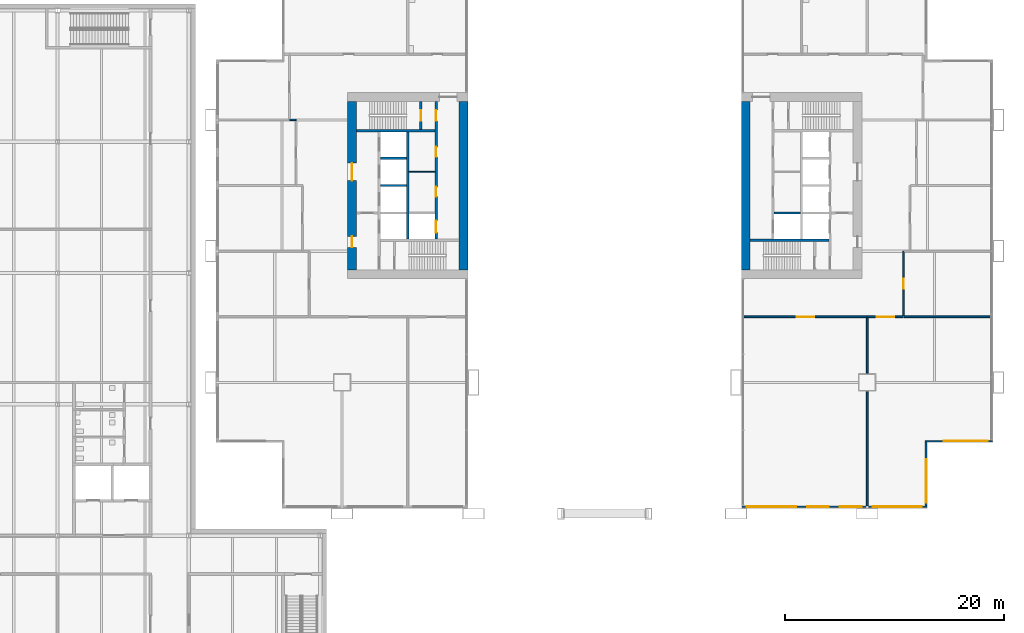
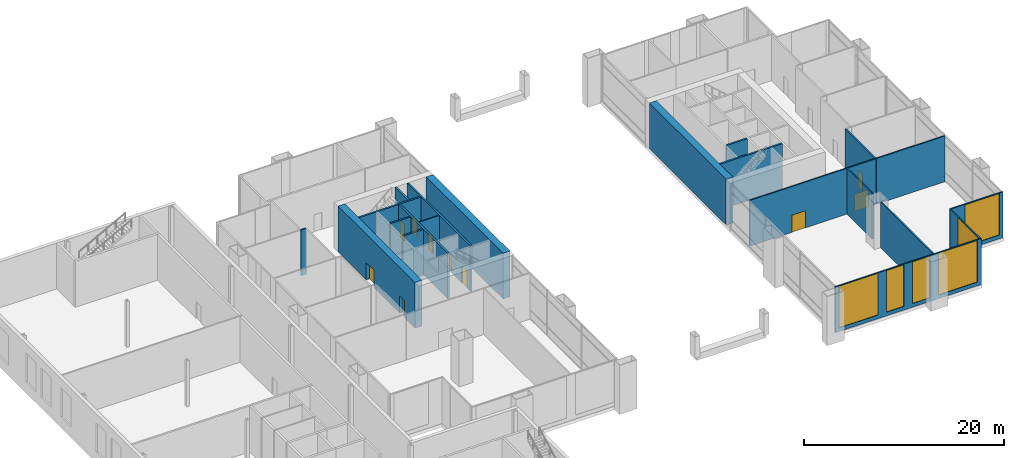
# One storey, part 19 of 25: 22 walls, 10 doors, 6 windows, 16 openings.
"""IFC4 building model written with IfcOpenShell, lengths in metres."""

from ifc_helpers import new_model, si_unit, direction, frame, frame_2d, origin, place, context, subcontext, project, spatial, rectangle, extrude, material, layer, layer_set, type_object, element, fill, save


model = new_model("IFC4")

# Units and contexts
model_context = context("Model", 3, precision=1e-05, world=origin(), true_north=direction((0.0, 1.0)))
body_context = subcontext(model_context, "Body", "Model", "MODEL_VIEW")
ifc_project = project(units=[si_unit("LENGTHUNIT", "METRE"), si_unit("AREAUNIT", "SQUARE_METRE"), si_unit("VOLUMEUNIT", "CUBIC_METRE"), si_unit("PLANEANGLEUNIT", "RADIAN"), si_unit("MASSUNIT", "GRAM", prefix="KILO")], contexts=[model_context])

# Site, building, storey
site_placement = place(None, origin())
site = spatial("IfcSite", under=ifc_project, at=site_placement, CompositionType="ELEMENT")
building_placement = place(site_placement, origin())
building = spatial("IfcBuilding", under=site, at=building_placement, Name="Kitamizu Gate Tower and Museum", CompositionType="ELEMENT")
storey_placement = place(building_placement, frame((0.0, 0.0, 18.0)))
storey = spatial("IfcBuildingStorey", under=building, at=storey_placement, Name="L03", CompositionType="ELEMENT", Elevation=18.0)

# Wall, openings, doors
ifc_material_1 = material(Name="Concrete Fc60", Category="concrete")
ifc_layer_1 = layer(ifc_material_1, 0.800048828125)
ifc_layer_set_1 = layer_set([ifc_layer_1], Name="Concrete Fc60")
wall_type_1 = type_object("IfcWallType", Name="Core wall 800", PredefinedType="SHEAR", material=ifc_layer_set_1)
wall_1_placement = place(storey_placement, frame((12.89990234375, 22.300048828125, 0.0), z_axis=(0.0, 0.0, 1.0), x_axis=(0.0, 1.0, 0.0)))
wall_1 = element("IfcWall", 1, at=wall_1_placement, inside=storey, type_object=wall_type_1, Name="Core wall WOUT", PredefinedType="SHEAR", context=body_context, shape_type="SweptSolid", body=[
    extrude(rectangle(XDim=15.39990234375, YDim=0.800048828125, at=frame_2d((7.699951171875, 0.0))), origin(), (0.0, 0.0, 1.0), 5.60009765625),
])
opening_1_placement = place(wall_1_placement, frame((8.14990234375, 0.0, 0.0)))
opening_1 = element("IfcOpeningElement", 2, at=opening_1_placement, cuts=wall_1, Name="Opening L03-023", PredefinedType="OPENING", context=body_context, shape_type="SweptSolid", body=[
    extrude(rectangle(XDim=1.60009765625, YDim=2.10009765625, at=frame_2d((0.800048828125, 1.050048828125))), frame((0.0, 0.41015625, 0.0), z_axis=(0.0, -1.0, 0.0), x_axis=(1.0, 0.0, 0.0)), (0.0, 0.0, 1.0), 0.820068359375),
])
opening_2_placement = place(wall_1_placement, frame((2.050048828125, 0.0, 0.0)))
opening_2 = element("IfcOpeningElement", 3, at=opening_2_placement, cuts=wall_1, Name="Opening L03-024", PredefinedType="OPENING", context=body_context, shape_type="SweptSolid", body=[
    extrude(rectangle(XDim=1.0, YDim=2.10009765625, at=frame_2d((0.5, 1.050048828125))), frame((0.0, 0.41015625, 0.0), z_axis=(0.0, -1.0, 0.0), x_axis=(1.0, 0.0, 0.0)), (0.0, 0.0, 1.0), 0.820068359375),
])
ifc_material_2 = material(Name="Timber door set", Category="wood")
door_type_1 = type_object("IfcDoorType", Name="Entrance door 1600", OperationType="DOUBLE_DOOR_SINGLE_SWING", PredefinedType="DOOR", material=ifc_material_2)
door_1_placement = place(opening_1_placement, origin())
door_1 = element("IfcDoor", 4, at=door_1_placement, inside=storey, type_object=door_type_1, Name="Lobby door L03-023", OperationType="DOUBLE_DOOR_SINGLE_SWING", OverallHeight=2.10009765625, OverallWidth=1.60009765625, PredefinedType="DOOR", context=body_context, shape_type="SweptSolid", body=[
    extrude(rectangle(XDim=1.60009765625, YDim=2.10009765625, at=frame_2d((0.800048828125, 1.050048828125))), frame((0.0, 0.02490234375, 0.0), z_axis=(0.0, -1.0, 0.0), x_axis=(1.0, 0.0, 0.0)), (0.0, 0.0, 1.0), 0.050048828125),
])
fill(opening_1, door_1)
ifc_material_3 = material(Name="Hollow metal door set")
door_type_2 = type_object("IfcDoorType", Name="Fire door 1000", OperationType="NOTDEFINED", PredefinedType="DOOR", material=ifc_material_3)
door_2_placement = place(opening_2_placement, frame((1.0, 0.0, 0.0), x_axis=(-1.0, 0.0, 0.0)))
door_2 = element("IfcDoor", 5, at=door_2_placement, inside=storey, type_object=door_type_2, Name="Fire-fighting lobby door L03-024", OperationType="SINGLE_SWING_RIGHT", OverallHeight=2.10009765625, OverallWidth=1.0, PredefinedType="DOOR", context=body_context, shape_type="SweptSolid", body=[
    extrude(rectangle(XDim=1.0, YDim=2.10009765625, at=frame_2d((0.5, 1.050048828125))), frame((0.0, 0.02490234375, 0.0), z_axis=(0.0, -1.0, 0.0), x_axis=(1.0, 0.0, 0.0)), (0.0, 0.0, 1.0), 0.050048828125),
])
fill(opening_2, door_2)

# Walls
for number, where, z_axis, x_axis, name in (
    (6, (23.10009765625, 22.300048828125, 0.0), (0.0, 0.0, 1.0), (0.0, 1.0, 0.0), "Core wall WARC"),
    (7, (48.89990234375, 22.300048828125, 0.0), (0.0, 0.0, 1.0), (0.0, 1.0, 0.0), "Core wall EARC"),
):
    element("IfcWall", number, at=place(storey_placement, frame(where, z_axis=z_axis, x_axis=x_axis)), inside=storey, type_object=wall_type_1, Name=name, PredefinedType="SHEAR", context=body_context, shape_type="SweptSolid", body=[
        extrude(rectangle(XDim=15.39990234375, YDim=0.800048828125, at=frame_2d((7.699951171875, 0.0))), origin(), (0.0, 0.0, 1.0), 5.60009765625),
    ])
ifc_material_4 = material(Name="Gypsum board on galvanised stud")
ifc_layer_2 = layer(ifc_material_4, 0.10009765625)
ifc_layer_set_2 = layer_set([ifc_layer_2], Name="Gypsum board on galvanised stud")
wall_type_2 = type_object("IfcWallType", Name="Partition 100", PredefinedType="PARTITIONING", material=ifc_layer_set_2)
wall_2_placement = place(storey_placement, frame((18.10009765625, 31.25, 0.0), z_axis=(0.0, 0.0, 1.0), x_axis=(1.0, 0.0, 0.0)))
element("IfcWall", 8, at=wall_2_placement, inside=storey, type_object=wall_type_2, Name="Partition WPF1", PredefinedType="PARTITIONING", context=body_context, shape_type="SweptSolid", body=[
    extrude(rectangle(XDim=2.39990234375, YDim=0.10009765625, at=frame_2d((1.199951171875, 0.0))), origin(), (0.0, 0.0, 1.0), 5.60009765625),
])
ifc_material_5 = material(Name="Gypsum board on galvanised stud")
ifc_layer_3 = layer(ifc_material_5, 0.14990234375)
ifc_layer_set_3 = layer_set([ifc_layer_3], Name="Gypsum board on galvanised stud")
wall_type_3 = type_object("IfcWallType", Name="Partition 150", PredefinedType="PARTITIONING", material=ifc_layer_set_3)
wall_3_placement = place(storey_placement, frame((7.199951171875, 36.0, 0.0), z_axis=(0.0, 0.0, 1.0), x_axis=(1.0, 0.0, 0.0)))
element("IfcWall", 9, at=wall_3_placement, inside=storey, type_object=wall_type_3, Name="Partition L03-007", PredefinedType="PARTITIONING", context=body_context, shape_type="SweptSolid", body=[
    extrude(rectangle(XDim=0.60009765625, YDim=0.14990234375, at=frame_2d((0.300048828125, 0.0))), origin(), (0.0, 0.0, 1.0), 5.60009765625),
])

# Wall, opening, door
wall_4_placement = place(storey_placement, frame((48.719970703125, 18.0, 0.0), z_axis=(0.0, 0.0, 1.0), x_axis=(1.0, 0.0, 0.0)))
wall_4 = element("IfcWall", 10, at=wall_4_placement, inside=storey, type_object=wall_type_3, Name="Partition L03-012", PredefinedType="PARTITIONING", context=body_context, shape_type="SweptSolid", body=[
    extrude(rectangle(XDim=11.280029296875, YDim=0.14990234375, at=frame_2d((5.64013671875, 0.0))), origin(), (0.0, 0.0, 1.0), 5.60009765625),
])
opening_3_placement = place(wall_4_placement, frame((4.840087890625, 0.0, 0.0)))
opening_3 = element("IfcOpeningElement", 11, at=opening_3_placement, cuts=wall_4, Name="Opening L03-001", PredefinedType="OPENING", context=body_context, shape_type="SweptSolid", body=[
    extrude(rectangle(XDim=1.60009765625, YDim=2.10009765625, at=frame_2d((0.800048828125, 1.050048828125))), frame((0.0, 0.0849609375, 0.0), z_axis=(0.0, -1.0, 0.0), x_axis=(1.0, 0.0, 0.0)), (0.0, 0.0, 1.0), 0.169921875),
])
ifc_material_6 = material(Name="Timber door set", Category="wood")
door_type_3 = type_object("IfcDoorType", Name="Double door 1600", OperationType="DOUBLE_DOOR_SINGLE_SWING", PredefinedType="DOOR", material=ifc_material_6)
door_3_placement = place(opening_3_placement, origin())
door_3 = element("IfcDoor", 12, at=door_3_placement, inside=storey, type_object=door_type_3, Name="Double door L03-001", OperationType="DOUBLE_DOOR_SINGLE_SWING", OverallHeight=2.10009765625, OverallWidth=1.60009765625, PredefinedType="DOOR", context=body_context, shape_type="SweptSolid", body=[
    extrude(rectangle(XDim=1.60009765625, YDim=2.10009765625, at=frame_2d((0.800048828125, 1.050048828125))), frame((0.0, 0.02490234375, 0.0), z_axis=(0.0, -1.0, 0.0), x_axis=(1.0, 0.0, 0.0)), (0.0, 0.0, 1.0), 0.050048828125),
])
fill(opening_3, door_3)

wall_5_placement = place(storey_placement, frame((60.0, 18.0, 0.0), z_axis=(0.0, 0.0, 1.0), x_axis=(1.0, 0.0, 0.0)))
wall_5 = element("IfcWall", 13, at=wall_5_placement, inside=storey, type_object=wall_type_3, Name="Partition L03-013", PredefinedType="PARTITIONING", context=body_context, shape_type="SweptSolid", body=[
    extrude(rectangle(XDim=3.300048828125, YDim=0.14990234375, at=frame_2d((1.64990234375, 0.0))), origin(), (0.0, 0.0, 1.0), 5.60009765625),
])
opening_4_placement = place(wall_5_placement, frame((0.85009765625, 0.0, 0.0)))
opening_4 = element("IfcOpeningElement", 14, at=opening_4_placement, cuts=wall_5, Name="Opening L03-002", PredefinedType="OPENING", context=body_context, shape_type="SweptSolid", body=[
    extrude(rectangle(XDim=1.60009765625, YDim=2.10009765625, at=frame_2d((0.800048828125, 1.050048828125))), frame((0.0, 0.0849609375, 0.0), z_axis=(0.0, -1.0, 0.0), x_axis=(1.0, 0.0, 0.0)), (0.0, 0.0, 1.0), 0.169921875),
])
door_4_placement = place(opening_4_placement, origin())
door_4 = element("IfcDoor", 15, at=door_4_placement, inside=storey, type_object=door_type_3, Name="Double door L03-002", OperationType="DOUBLE_DOOR_SINGLE_SWING", OverallHeight=2.10009765625, OverallWidth=1.60009765625, PredefinedType="DOOR", context=body_context, shape_type="SweptSolid", body=[
    extrude(rectangle(XDim=1.60009765625, YDim=2.10009765625, at=frame_2d((0.800048828125, 1.050048828125))), frame((0.0, 0.02490234375, 0.0), z_axis=(0.0, -1.0, 0.0), x_axis=(1.0, 0.0, 0.0)), (0.0, 0.0, 1.0), 0.050048828125),
])
fill(opening_4, door_4)

wall_6_placement = place(storey_placement, frame((63.300048828125, 18.074951171875, 0.0), z_axis=(0.0, 0.0, 1.0), x_axis=(0.0, 1.0, 0.0)))
wall_6 = element("IfcWall", 16, at=wall_6_placement, inside=storey, type_object=wall_type_3, Name="Partition L03-014", PredefinedType="PARTITIONING", context=body_context, shape_type="SweptSolid", body=[
    extrude(rectangle(XDim=5.925048828125, YDim=0.14990234375, at=frame_2d((2.96240234375, 0.0))), origin(), (0.0, 0.0, 1.0), 5.60009765625),
])
opening_5_placement = place(wall_6_placement, frame((2.512451171875, 0.0, 0.0)))
opening_5 = element("IfcOpeningElement", 17, at=opening_5_placement, cuts=wall_6, Name="Opening L03-003", PredefinedType="OPENING", context=body_context, shape_type="SweptSolid", body=[
    extrude(rectangle(XDim=0.89990234375, YDim=2.10009765625, at=frame_2d((0.449951171875, 1.050048828125))), frame((0.0, 0.0849609375, 0.0), z_axis=(0.0, -1.0, 0.0), x_axis=(1.0, 0.0, 0.0)), (0.0, 0.0, 1.0), 0.169921875),
])
ifc_material_7 = material(Name="Timber door set", Category="wood")
door_type_4 = type_object("IfcDoorType", Name="Room door 900", OperationType="NOTDEFINED", PredefinedType="DOOR", material=ifc_material_7)
door_5_placement = place(opening_5_placement, frame((0.89990234375, 0.0, 0.0), x_axis=(-1.0, 0.0, 0.0)))
door_5 = element("IfcDoor", 18, at=door_5_placement, inside=storey, type_object=door_type_4, Name="Door L03-003", OperationType="SINGLE_SWING_LEFT", OverallHeight=2.10009765625, OverallWidth=0.89990234375, PredefinedType="DOOR", context=body_context, shape_type="SweptSolid", body=[
    extrude(rectangle(XDim=0.89990234375, YDim=2.10009765625, at=frame_2d((0.449951171875, 1.050048828125))), frame((0.0, 0.02490234375, 0.0), z_axis=(0.0, -1.0, 0.0), x_axis=(1.0, 0.0, 0.0)), (0.0, 0.0, 1.0), 0.050048828125),
])
fill(opening_5, door_5)

# Walls
wall_7_placement = place(storey_placement, frame((60.0, 0.719970703125, 0.0), z_axis=(0.0, 0.0, 1.0), x_axis=(0.0, 1.0, 0.0)))
element("IfcWall", 19, at=wall_7_placement, inside=storey, type_object=wall_type_3, Name="Partition L03-024", PredefinedType="PARTITIONING", context=body_context, shape_type="SweptSolid", body=[
    extrude(rectangle(XDim=10.429931640625, YDim=0.14990234375, at=frame_2d((5.21484375, 0.0))), origin(), (0.0, 0.0, 1.0), 5.60009765625),
])
wall_8_placement = place(storey_placement, frame((60.0, 12.85009765625, 0.0), z_axis=(0.0, 0.0, 1.0), x_axis=(0.0, 1.0, 0.0)))
element("IfcWall", 20, at=wall_8_placement, inside=storey, type_object=wall_type_3, Name="Partition L03-025", PredefinedType="PARTITIONING", context=body_context, shape_type="SweptSolid", body=[
    extrude(rectangle(XDim=5.074951171875, YDim=0.14990234375, at=frame_2d((2.53759765625, 0.0))), origin(), (0.0, 0.0, 1.0), 5.60009765625),
])
wall_9_placement = place(storey_placement, frame((71.280029296875, 18.0, 0.0), z_axis=(0.0, 0.0, 1.0), x_axis=(-1.0, 0.0, 0.0)))
element("IfcWall", 21, at=wall_9_placement, inside=storey, type_object=wall_type_3, Name="Partition L03-026", PredefinedType="PARTITIONING", context=body_context, shape_type="SweptSolid", body=[
    extrude(rectangle(XDim=7.905029296875, YDim=0.14990234375, at=frame_2d((3.95263671875, 0.0))), origin(), (0.0, 0.0, 1.0), 5.60009765625),
])

# Wall, openings, doors
ifc_material_8 = material(Name="Concrete Fc42", Category="concrete")
ifc_layer_4 = layer(ifc_material_8, 0.199951171875)
ifc_layer_set_4 = layer_set([ifc_layer_4], Name="Concrete Fc42")
wall_type_4 = type_object("IfcWallType", Name="Shaft wall 200", PredefinedType="SOLIDWALL", material=ifc_layer_set_4)
wall_10_placement = place(storey_placement, frame((20.60009765625, 25.10009765625, 0.0), z_axis=(0.0, 0.0, 1.0), x_axis=(0.0, 1.0, 0.0)))
wall_10 = element("IfcWall", 22, at=wall_10_placement, inside=storey, type_object=wall_type_4, Name="Shaft wall WEAST", PredefinedType="SOLIDWALL", context=body_context, shape_type="SweptSolid", body=[
    extrude(rectangle(XDim=12.599853515625, YDim=0.199951171875, at=frame_2d((6.2998046875, 0.0))), origin(), (0.0, 0.0, 1.0), 5.60009765625),
])
opening_6_placement = place(wall_10_placement, frame((0.60009765625, 0.0, 0.0)))
opening_6 = element("IfcOpeningElement", 23, at=opening_6_placement, cuts=wall_10, Name="Opening LD", PredefinedType="OPENING", context=body_context, shape_type="SweptSolid", body=[
    extrude(rectangle(XDim=1.10009765625, YDim=2.10009765625, at=frame_2d((0.550048828125, 1.050048828125))), frame((0.0, 0.10986328125, 0.0), z_axis=(0.0, -1.0, 0.0), x_axis=(1.0, 0.0, 0.0)), (0.0, 0.0, 1.0), 0.219970703125),
])
opening_7_placement = place(wall_10_placement, frame((10.800048828125, 0.0, 0.0)))
opening_7 = element("IfcOpeningElement", 24, at=opening_7_placement, cuts=wall_10, Name="Opening L03-020", PredefinedType="OPENING", context=body_context, shape_type="SweptSolid", body=[
    extrude(rectangle(XDim=1.0, YDim=2.10009765625, at=frame_2d((0.5, 1.050048828125))), frame((0.0, 0.10986328125, 0.0), z_axis=(0.0, -1.0, 0.0), x_axis=(1.0, 0.0, 0.0)), (0.0, 0.0, 1.0), 0.219970703125),
])
opening_8_placement = place(wall_10_placement, frame((3.875, 0.0, 0.0)))
opening_8 = element("IfcOpeningElement", 25, at=opening_8_placement, cuts=wall_10, Name="Opening L03-026", PredefinedType="OPENING", context=body_context, shape_type="SweptSolid", body=[
    extrude(rectangle(XDim=0.89990234375, YDim=2.10009765625, at=frame_2d((0.449951171875, 1.050048828125))), frame((0.0, 0.10986328125, 0.0), z_axis=(0.0, -1.0, 0.0), x_axis=(1.0, 0.0, 0.0)), (0.0, 0.0, 1.0), 0.219970703125),
])
opening_9_placement = place(wall_10_placement, frame((7.52490234375, 0.0, 0.0)))
opening_9 = element("IfcOpeningElement", 26, at=opening_9_placement, cuts=wall_10, Name="Opening L03-027", PredefinedType="OPENING", context=body_context, shape_type="SweptSolid", body=[
    extrude(rectangle(XDim=0.89990234375, YDim=2.10009765625, at=frame_2d((0.449951171875, 1.050048828125))), frame((0.0, 0.10986328125, 0.0), z_axis=(0.0, -1.0, 0.0), x_axis=(1.0, 0.0, 0.0)), (0.0, 0.0, 1.0), 0.219970703125),
])
door_6_placement = place(opening_7_placement, origin())
door_6 = element("IfcDoor", 27, at=door_6_placement, inside=storey, type_object=door_type_2, Name="Stair lobby door L03-020", OperationType="SINGLE_SWING_RIGHT", OverallHeight=2.10009765625, OverallWidth=1.0, PredefinedType="DOOR", context=body_context, shape_type="SweptSolid", body=[
    extrude(rectangle(XDim=1.0, YDim=2.10009765625, at=frame_2d((0.5, 1.050048828125))), frame((0.0, 0.02490234375, 0.0), z_axis=(0.0, -1.0, 0.0), x_axis=(1.0, 0.0, 0.0)), (0.0, 0.0, 1.0), 0.050048828125),
])
fill(opening_7, door_6)
ifc_material_9 = material(Name="Hollow metal door set")
door_type_5 = type_object("IfcDoorType", Name="Landing door 1100", OperationType="SLIDING_TO_LEFT", PredefinedType="DOOR", material=ifc_material_9)
door_7_placement = place(opening_6_placement, origin())
door_7 = element("IfcDoor", 28, at=door_7_placement, inside=storey, type_object=door_type_5, Name="Landing door WSV1", OperationType="SLIDING_TO_LEFT", OverallHeight=2.10009765625, OverallWidth=1.10009765625, PredefinedType="DOOR", context=body_context, shape_type="SweptSolid", body=[
    extrude(rectangle(XDim=1.10009765625, YDim=2.10009765625, at=frame_2d((0.550048828125, 1.050048828125))), frame((0.0, 0.02490234375, 0.0), z_axis=(0.0, -1.0, 0.0), x_axis=(1.0, 0.0, 0.0)), (0.0, 0.0, 1.0), 0.050048828125),
])
fill(opening_6, door_7)
ifc_material_10 = material(Name="Timber door set", Category="wood")
door_type_6 = type_object("IfcDoorType", Name="Service door 900", OperationType="NOTDEFINED", PredefinedType="DOOR", material=ifc_material_10)
door_8_placement = place(opening_8_placement, origin())
door_8 = element("IfcDoor", 29, at=door_8_placement, inside=storey, type_object=door_type_6, Name="Service door L03-026", OperationType="SINGLE_SWING_RIGHT", OverallHeight=2.10009765625, OverallWidth=0.89990234375, PredefinedType="DOOR", context=body_context, shape_type="SweptSolid", body=[
    extrude(rectangle(XDim=0.89990234375, YDim=2.10009765625, at=frame_2d((0.449951171875, 1.050048828125))), frame((0.0, 0.02490234375, 0.0), z_axis=(0.0, -1.0, 0.0), x_axis=(1.0, 0.0, 0.0)), (0.0, 0.0, 1.0), 0.050048828125),
])
fill(opening_8, door_8)
door_9_placement = place(opening_9_placement, origin())
door_9 = element("IfcDoor", 30, at=door_9_placement, inside=storey, type_object=door_type_6, Name="Service door L03-027", OperationType="SINGLE_SWING_LEFT", OverallHeight=2.10009765625, OverallWidth=0.89990234375, PredefinedType="DOOR", context=body_context, shape_type="SweptSolid", body=[
    extrude(rectangle(XDim=0.89990234375, YDim=2.10009765625, at=frame_2d((0.449951171875, 1.050048828125))), frame((0.0, 0.02490234375, 0.0), z_axis=(0.0, -1.0, 0.0), x_axis=(1.0, 0.0, 0.0)), (0.0, 0.0, 1.0), 0.050048828125),
])
fill(opening_9, door_9)

# Walls
wall_11_placement = place(storey_placement, frame((18.0, 25.10009765625, 0.0), z_axis=(0.0, 0.0, 1.0), x_axis=(0.0, 1.0, 0.0)))
element("IfcWall", 31, at=wall_11_placement, inside=storey, type_object=wall_type_4, Name="Shaft wall WMID", PredefinedType="SOLIDWALL", context=body_context, shape_type="SweptSolid", body=[
    extrude(rectangle(XDim=9.7998046875, YDim=0.199951171875, at=frame_2d((4.89990234375, 0.0))), origin(), (0.0, 0.0, 1.0), 5.60009765625),
])
wall_12_placement = place(storey_placement, frame((13.300048828125, 35.0, 0.0), z_axis=(0.0, 0.0, 1.0), x_axis=(1.0, 0.0, 0.0)))
element("IfcWall", 32, at=wall_12_placement, inside=storey, type_object=wall_type_4, Name="Shaft wall WNB", PredefinedType="SOLIDWALL", context=body_context, shape_type="SweptSolid", body=[
    extrude(rectangle(XDim=7.199951171875, YDim=0.199951171875, at=frame_2d((3.60009765625, 0.0))), origin(), (0.0, 0.0, 1.0), 5.60009765625),
])

# Wall, opening, door
wall_13_placement = place(storey_placement, frame((19.199951171875, 35.10009765625, 0.0), z_axis=(0.0, 0.0, 1.0), x_axis=(0.0, 1.0, 0.0)))
wall_13 = element("IfcWall", 33, at=wall_13_placement, inside=storey, type_object=wall_type_4, Name="Shaft wall WNZ", PredefinedType="SOLIDWALL", context=body_context, shape_type="SweptSolid", body=[
    extrude(rectangle(XDim=2.599853515625, YDim=0.199951171875, at=frame_2d((1.2998046875, 0.0))), origin(), (0.0, 0.0, 1.0), 5.60009765625),
])
opening_10_placement = place(wall_13_placement, frame((0.800048828125, 0.0, 0.0)))
opening_10 = element("IfcOpeningElement", 34, at=opening_10_placement, cuts=wall_13, Name="Opening L03-021", PredefinedType="OPENING", context=body_context, shape_type="SweptSolid", body=[
    extrude(rectangle(XDim=1.0, YDim=2.10009765625, at=frame_2d((0.5, 1.050048828125))), frame((0.0, 0.10986328125, 0.0), z_axis=(0.0, -1.0, 0.0), x_axis=(1.0, 0.0, 0.0)), (0.0, 0.0, 1.0), 0.219970703125),
])
door_10_placement = place(opening_10_placement, origin())
door_10 = element("IfcDoor", 35, at=door_10_placement, inside=storey, type_object=door_type_2, Name="Stair door L03-021", OperationType="SINGLE_SWING_LEFT", OverallHeight=2.10009765625, OverallWidth=1.0, PredefinedType="DOOR", context=body_context, shape_type="SweptSolid", body=[
    extrude(rectangle(XDim=1.0, YDim=2.10009765625, at=frame_2d((0.5, 1.050048828125))), frame((0.0, 0.02490234375, 0.0), z_axis=(0.0, -1.0, 0.0), x_axis=(1.0, 0.0, 0.0)), (0.0, 0.0, 1.0), 0.050048828125),
])
fill(opening_10, door_10)

# Walls
for number, where, z_axis, x_axis, name in (
    (36, (15.5, 30.0, 0.0), (0.0, 0.0, 1.0), (1.0, 0.0, 0.0), "Shaft wall WDVW1"),
    (37, (15.5, 32.5, 0.0), (0.0, 0.0, 1.0), (1.0, 0.0, 0.0), "Shaft wall WDVW2"),
):
    element("IfcWall", number, at=place(storey_placement, frame(where, z_axis=z_axis, x_axis=x_axis)), inside=storey, type_object=wall_type_4, Name=name, PredefinedType="SOLIDWALL", context=body_context, shape_type="SweptSolid", body=[
        extrude(rectangle(XDim=2.39990234375, YDim=0.199951171875, at=frame_2d((1.199951171875, 0.0))), origin(), (0.0, 0.0, 1.0), 5.60009765625),
    ])
wall_14_placement = place(storey_placement, frame((56.5, 25.0, 0.0), z_axis=(0.0, 0.0, 1.0), x_axis=(-1.0, 0.0, 0.0)))
element("IfcWall", 38, at=wall_14_placement, inside=storey, type_object=wall_type_4, Name="Shaft wall ESB", PredefinedType="SOLIDWALL", context=body_context, shape_type="SweptSolid", body=[
    extrude(rectangle(XDim=7.199951171875, YDim=0.199951171875, at=frame_2d((3.60009765625, 0.0))), origin(), (0.0, 0.0, 1.0), 5.60009765625),
])
wall_15_placement = place(storey_placement, frame((53.89990234375, 27.5, 0.0), z_axis=(0.0, 0.0, 1.0), x_axis=(-1.0, 0.0, 0.0)))
element("IfcWall", 39, at=wall_15_placement, inside=storey, type_object=wall_type_4, Name="Shaft wall EDVE0", PredefinedType="SOLIDWALL", context=body_context, shape_type="SweptSolid", body=[
    extrude(rectangle(XDim=2.39990234375, YDim=0.199951171875, at=frame_2d((1.199951171875, 0.0))), origin(), (0.0, 0.0, 1.0), 5.60009765625),
])

# Wall, openings, windows
ifc_material_11 = material(Name="Bronze anodised aluminium frame with insulated spandrel and tinted glass", Category="aluminium")
ifc_layer_5 = layer(ifc_material_11, 0.14990234375)
ifc_layer_set_5 = layer_set([ifc_layer_5], Name="Bronze anodised aluminium frame with insulated spandrel and tinted glass")
wall_type_5 = type_object("IfcWallType", Name="WINDOW WALL 150 BRONZE FRAME EI 60", PredefinedType="ELEMENTEDWALL", material=ifc_layer_set_5)
wall_16_placement = place(storey_placement, frame((48.56005859375, 0.635009765625, 0.0), z_axis=(0.0, 0.0, 1.0), x_axis=(1.0, 0.0, 0.0)))
wall_16 = element("IfcWall", 40, at=wall_16_placement, inside=storey, type_object=wall_type_5, Name="Window wall south L03", PredefinedType="ELEMENTEDWALL", context=body_context, shape_type="SweptSolid", body=[
    extrude(rectangle(XDim=16.8798828125, YDim=0.14990234375, at=frame_2d((8.43994140625, 0.0))), origin(), (0.0, 0.0, 1.0), 5.60009765625),
])
opening_11_placement = place(wall_16_placement, frame((0.43994140625, 0.0, 0.449951171875)))
opening_11 = element("IfcOpeningElement", 41, at=opening_11_placement, cuts=wall_16, Name="Opening W21", PredefinedType="OPENING", context=body_context, shape_type="SweptSolid", body=[
    extrude(rectangle(XDim=4.5, YDim=5.10009765625, at=frame_2d((2.25, 2.550048828125))), frame((0.0, 0.0849609375, 0.0), z_axis=(0.0, -1.0, 0.0), x_axis=(1.0, 0.0, 0.0)), (0.0, 0.0, 1.0), 0.169921875),
])
opening_12_placement = place(wall_16_placement, frame((5.93994140625, 0.0, 0.449951171875)))
opening_12 = element("IfcOpeningElement", 42, at=opening_12_placement, cuts=wall_16, Name="Opening W8", PredefinedType="OPENING", context=body_context, shape_type="SweptSolid", body=[
    extrude(rectangle(XDim=2.0, YDim=5.10009765625, at=frame_2d((1.0, 2.550048828125))), frame((0.0, 0.0849609375, 0.0), z_axis=(0.0, -1.0, 0.0), x_axis=(1.0, 0.0, 0.0)), (0.0, 0.0, 1.0), 0.169921875),
])
opening_13_placement = place(wall_16_placement, frame((8.93994140625, 0.0, 0.449951171875)))
opening_13 = element("IfcOpeningElement", 43, at=opening_13_placement, cuts=wall_16, Name="Opening W8", PredefinedType="OPENING", context=body_context, shape_type="SweptSolid", body=[
    extrude(rectangle(XDim=2.0, YDim=5.10009765625, at=frame_2d((1.0, 2.550048828125))), frame((0.0, 0.0849609375, 0.0), z_axis=(0.0, -1.0, 0.0), x_axis=(1.0, 0.0, 0.0)), (0.0, 0.0, 1.0), 0.169921875),
])
opening_14_placement = place(wall_16_placement, frame((11.93994140625, 0.0, 0.449951171875)))
opening_14 = element("IfcOpeningElement", 44, at=opening_14_placement, cuts=wall_16, Name="Opening W21", PredefinedType="OPENING", context=body_context, shape_type="SweptSolid", body=[
    extrude(rectangle(XDim=4.5, YDim=5.10009765625, at=frame_2d((2.25, 2.550048828125))), frame((0.0, 0.0849609375, 0.0), z_axis=(0.0, -1.0, 0.0), x_axis=(1.0, 0.0, 0.0)), (0.0, 0.0, 1.0), 0.169921875),
])
ifc_material_12 = material(Name="Bronze anodised aluminium frame, tinted triple glazing", Category="aluminium")
window_type_1 = type_object("IfcWindowType", Name="WINDOW 2000 x 5100 SILL 450", PartitioningType="SINGLE_PANEL", PredefinedType="WINDOW", material=ifc_material_12)
window_1_placement = place(opening_12_placement, origin())
window_1 = element("IfcWindow", 45, at=window_1_placement, inside=storey, type_object=window_type_1, Name="Window W8 L03", OverallHeight=5.10009765625, OverallWidth=2.0, PartitioningType="SINGLE_PANEL", PredefinedType="WINDOW", context=body_context, shape_type="SweptSolid", body=[
    extrude(rectangle(XDim=2.0, YDim=5.10009765625, at=frame_2d((1.0, 2.550048828125))), frame((0.0, 0.030029296875, 0.0), z_axis=(0.0, -1.0, 0.0), x_axis=(1.0, 0.0, 0.0)), (0.0, 0.0, 1.0), 0.06005859375),
])
fill(opening_12, window_1)
window_2_placement = place(opening_13_placement, origin())
window_2 = element("IfcWindow", 46, at=window_2_placement, inside=storey, type_object=window_type_1, Name="Window W8 L03", OverallHeight=5.10009765625, OverallWidth=2.0, PartitioningType="SINGLE_PANEL", PredefinedType="WINDOW", context=body_context, shape_type="SweptSolid", body=[
    extrude(rectangle(XDim=2.0, YDim=5.10009765625, at=frame_2d((1.0, 2.550048828125))), frame((0.0, 0.030029296875, 0.0), z_axis=(0.0, -1.0, 0.0), x_axis=(1.0, 0.0, 0.0)), (0.0, 0.0, 1.0), 0.06005859375),
])
fill(opening_13, window_2)
ifc_material_13 = material(Name="Bronze anodised aluminium frame, tinted triple glazing", Category="aluminium")
window_type_2 = type_object("IfcWindowType", Name="WINDOW 4500 x 5100 SILL 450", PartitioningType="SINGLE_PANEL", PredefinedType="WINDOW", material=ifc_material_13)
window_3_placement = place(opening_11_placement, origin())
window_3 = element("IfcWindow", 47, at=window_3_placement, inside=storey, type_object=window_type_2, Name="Window W21 L03", OverallHeight=5.10009765625, OverallWidth=4.5, PartitioningType="SINGLE_PANEL", PredefinedType="WINDOW", context=body_context, shape_type="SweptSolid", body=[
    extrude(rectangle(XDim=4.5, YDim=5.10009765625, at=frame_2d((2.25, 2.550048828125))), frame((0.0, 0.030029296875, 0.0), z_axis=(0.0, -1.0, 0.0), x_axis=(1.0, 0.0, 0.0)), (0.0, 0.0, 1.0), 0.06005859375),
])
fill(opening_11, window_3)
window_4_placement = place(opening_14_placement, origin())
window_4 = element("IfcWindow", 48, at=window_4_placement, inside=storey, type_object=window_type_2, Name="Window W21 L03", OverallHeight=5.10009765625, OverallWidth=4.5, PartitioningType="SINGLE_PANEL", PredefinedType="WINDOW", context=body_context, shape_type="SweptSolid", body=[
    extrude(rectangle(XDim=4.5, YDim=5.10009765625, at=frame_2d((2.25, 2.550048828125))), frame((0.0, 0.030029296875, 0.0), z_axis=(0.0, -1.0, 0.0), x_axis=(1.0, 0.0, 0.0)), (0.0, 0.0, 1.0), 0.06005859375),
])
fill(opening_14, window_4)

# Wall, opening, window
wall_17_placement = place(storey_placement, frame((65.364990234375, 0.7099609375, 0.0), z_axis=(0.0, 0.0, 1.0), x_axis=(0.0, 1.0, 0.0)))
wall_17 = element("IfcWall", 49, at=wall_17_placement, inside=storey, type_object=wall_type_5, Name="Window wall east L03", PredefinedType="ELEMENTEDWALL", context=body_context, shape_type="SweptSolid", body=[
    extrude(rectangle(XDim=5.85009765625, YDim=0.14990234375, at=frame_2d((2.925048828125, 0.0))), origin(), (0.0, 0.0, 1.0), 5.60009765625),
])
opening_15_placement = place(wall_17_placement, frame((0.2900390625, 0.0, 0.449951171875)))
opening_15 = element("IfcOpeningElement", 50, at=opening_15_placement, cuts=wall_17, Name="Opening W22", PredefinedType="OPENING", context=body_context, shape_type="SweptSolid", body=[
    extrude(rectangle(XDim=4.0, YDim=5.10009765625, at=frame_2d((2.0, 2.550048828125))), frame((0.0, 0.0849609375, 0.0), z_axis=(0.0, -1.0, 0.0), x_axis=(1.0, 0.0, 0.0)), (0.0, 0.0, 1.0), 0.169921875),
])
ifc_material_14 = material(Name="Bronze anodised aluminium frame, tinted triple glazing", Category="aluminium")
window_type_3 = type_object("IfcWindowType", Name="WINDOW 4000 x 5100 SILL 450", PartitioningType="SINGLE_PANEL", PredefinedType="WINDOW", material=ifc_material_14)
window_5_placement = place(opening_15_placement, origin())
window_5 = element("IfcWindow", 51, at=window_5_placement, inside=storey, type_object=window_type_3, Name="Window W22 L03", OverallHeight=5.10009765625, OverallWidth=4.0, PartitioningType="SINGLE_PANEL", PredefinedType="WINDOW", context=body_context, shape_type="SweptSolid", body=[
    extrude(rectangle(XDim=4.0, YDim=5.10009765625, at=frame_2d((2.0, 2.550048828125))), frame((0.0, 0.030029296875, 0.0), z_axis=(0.0, -1.0, 0.0), x_axis=(1.0, 0.0, 0.0)), (0.0, 0.0, 1.0), 0.06005859375),
])
fill(opening_15, window_5)

wall_18_placement = place(storey_placement, frame((65.2900390625, 6.635009765625, 0.0), z_axis=(0.0, 0.0, 1.0), x_axis=(1.0, 0.0, 0.0)))
wall_18 = element("IfcWall", 52, at=wall_18_placement, inside=storey, type_object=wall_type_5, Name="Window wall south L03", PredefinedType="ELEMENTEDWALL", context=body_context, shape_type="SweptSolid", body=[
    extrude(rectangle(XDim=6.14990234375, YDim=0.14990234375, at=frame_2d((3.074951171875, 0.0))), origin(), (0.0, 0.0, 1.0), 5.60009765625),
])
opening_16_placement = place(wall_18_placement, frame((1.7099609375, 0.0, 0.449951171875)))
opening_16 = element("IfcOpeningElement", 53, at=opening_16_placement, cuts=wall_18, Name="Opening W22", PredefinedType="OPENING", context=body_context, shape_type="SweptSolid", body=[
    extrude(rectangle(XDim=4.0, YDim=5.10009765625, at=frame_2d((2.0, 2.550048828125))), frame((0.0, 0.0849609375, 0.0), z_axis=(0.0, -1.0, 0.0), x_axis=(1.0, 0.0, 0.0)), (0.0, 0.0, 1.0), 0.169921875),
])
window_6_placement = place(opening_16_placement, origin())
window_6 = element("IfcWindow", 54, at=window_6_placement, inside=storey, type_object=window_type_3, Name="Window W22 L03", OverallHeight=5.10009765625, OverallWidth=4.0, PartitioningType="SINGLE_PANEL", PredefinedType="WINDOW", context=body_context, shape_type="SweptSolid", body=[
    extrude(rectangle(XDim=4.0, YDim=5.10009765625, at=frame_2d((2.0, 2.550048828125))), frame((0.0, 0.030029296875, 0.0), z_axis=(0.0, -1.0, 0.0), x_axis=(1.0, 0.0, 0.0)), (0.0, 0.0, 1.0), 0.06005859375),
])
fill(opening_16, window_6)

save(model, "model.ifc")
